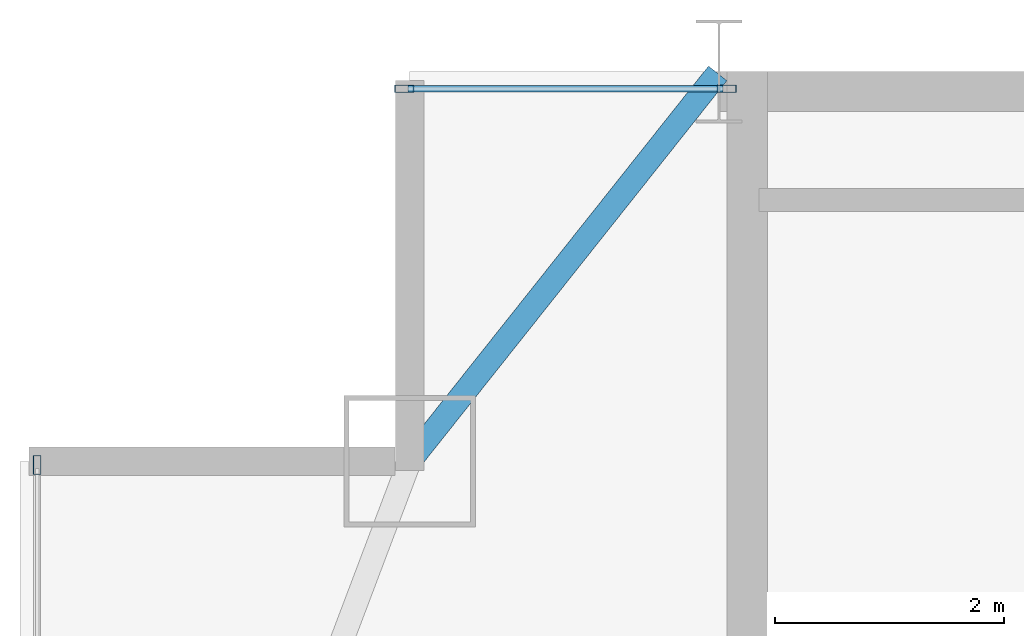
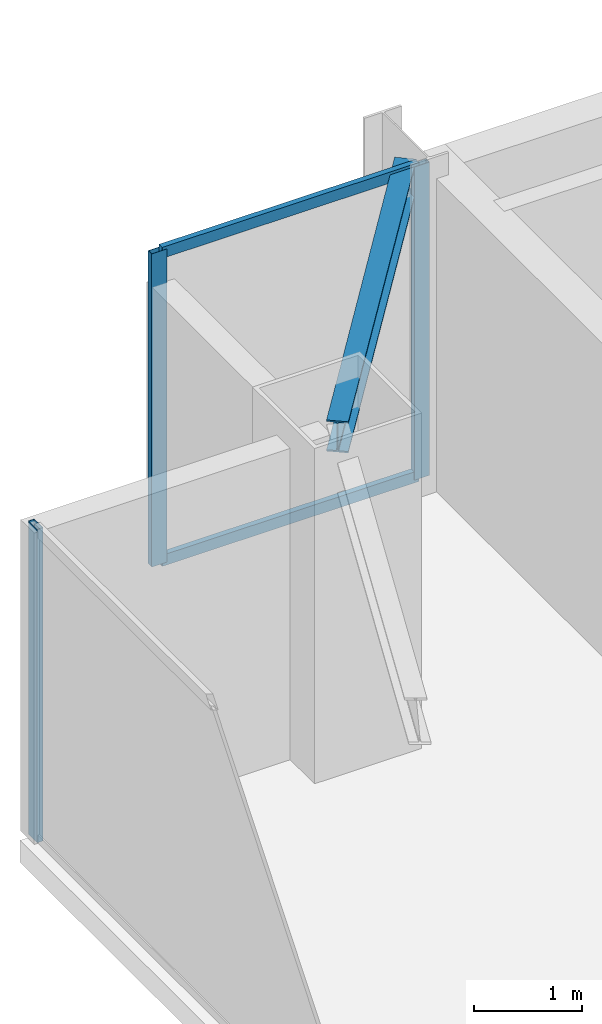
# One storey, part 17 of 25: 5 members, 1 beam, 2 elements without a shape of their own.
"""IFC4 building model written with IfcOpenShell, lengths in metres."""

from ifc_helpers import new_model, si_unit, direction, frame, origin, origin_2d, place, context, subcontext, project, spatial, hollow_rectangle, i_section, extrude, source, transform, mapped, material, layer, layer_set, material_profile, profile_set, type_object, type_shapes, element, aggregate, save


model = new_model("IFC4")

# Units and contexts
model_context = context("Model", 3, precision=1e-05, world=origin(), true_north=direction((0.0, 1.0)))
body_context = subcontext(model_context, "Body", "Model", "MODEL_VIEW")
ifc_project = project(units=[si_unit("LENGTHUNIT", "METRE"), si_unit("AREAUNIT", "SQUARE_METRE"), si_unit("VOLUMEUNIT", "CUBIC_METRE"), si_unit("PLANEANGLEUNIT", "RADIAN"), si_unit("MASSUNIT", "GRAM", prefix="KILO")], contexts=[model_context])

# Site, building, storey
site_placement = place(None, origin())
site = spatial("IfcSite", under=ifc_project, at=site_placement, CompositionType="ELEMENT")
building_placement = place(site_placement, origin())
building = spatial("IfcBuilding", under=site, at=building_placement, Name="Varnel Quay Broadcast Tower", CompositionType="ELEMENT")
storey_placement = place(building_placement, frame((0.0, 0.0, 226.39990234375)))
storey = spatial("IfcBuildingStorey", under=building, at=storey_placement, Name="L56", CompositionType="ELEMENT", Elevation=226.39990234375)

# Beam
ifc_material_1 = material(Name="Structural Steel CSA G40.21 350W", Category="steel")
ifc_material_profile_1 = material_profile(ifc_material_1, i_section(OverallWidth=0.205078125, OverallDepth=0.35400390625, WebThickness=0.009521484375, FlangeThickness=0.016845703125, FilletRadius=0.012939453125, at=origin_2d()), Name="W360X79")
ifc_profile_set_1 = profile_set([ifc_material_profile_1], Name="Structural Steel CSA G40.21 350W")
beam_type = type_object("IfcBeamType", Name="Beam_W360X79", PredefinedType="SPANDREL", material=ifc_profile_set_1)
shared_shape_1 = source(origin(), body_context, "Body", "SweptSolid", [
    extrude(i_section(OverallWidth=0.205078125, OverallDepth=0.35400390625, WebThickness=0.009521484375, FlangeThickness=0.016845703125, FilletRadius=0.012939453125, at=origin_2d()), origin(), (0.0, 0.0, 1.0), 4.301513671875),
])
type_shapes(beam_type, [shared_shape_1])
beam_placement = place(storey_placement, frame((12.912353515625, 43.415771484375, 3.373046875), z_axis=(0.621936399401, 0.783067758946, 0.0), x_axis=(-0.783067758946, 0.621936399401, 0.0)))
element("IfcBeam", 1, at=beam_placement, inside=storey, type_object=beam_type, Name="L56 NW Tie Spandrel", PredefinedType="SPANDREL", context=body_context, shape_type="MappedRepresentation", body=[
    mapped(shared_shape_1, transform((0.0, 0.0, 0.0), x_axis=(1.0, 0.0, 0.0), y_axis=(0.0, 1.0, 0.0), z_axis=(0.0, 0.0, 1.0), scale=1.0)),
])

# Curtain wall, member
ifc_material_2 = material(Name="Anodised Bronze Aluminium 6063-T6", Category="aluminium")
ifc_layer = layer(ifc_material_2, 0.18994140625, Name="Anodised Bronze Aluminium 6063-T6")
ifc_layer_set = layer_set([ifc_layer], Name="Anodised Bronze Aluminium 6063-T6")
curtain_wall_type = type_object("IfcCurtainWallType", Name="CW_UpperTower", PredefinedType="NOTDEFINED", material=ifc_layer_set)
curtain_wall_1_placement = place(storey_placement, origin())
curtain_wall_1 = element("IfcCurtainWall", 2, at=curtain_wall_1_placement, inside=storey, type_object=curtain_wall_type, Name="L56 West Unitised Curtain Wall", PredefinedType="NOTDEFINED")
ifc_material_profile_2 = material_profile(ifc_material_2, hollow_rectangle(XDim=0.06494140625, YDim=0.1650390625, WallThickness=0.00341796875, at=origin_2d()), Name="ALU65X165X3.5")
ifc_profile_set_2 = profile_set([ifc_material_profile_2], Name="Anodised Bronze Aluminium 6063-T6")
member_type_1 = type_object("IfcMemberType", Name="Mull_CWS-03", PredefinedType="MULLION", material=ifc_profile_set_2)
shared_shape_2 = source(origin(), body_context, "Body", "SweptSolid", [
    extrude(hollow_rectangle(XDim=0.06494140625, YDim=0.1650390625, WallThickness=0.00341796875, at=origin_2d()), origin(), (0.0, 0.0, 1.0), 3.550048828125),
])
type_shapes(member_type_1, [shared_shape_2])
member_1_placement = place(storey_placement, frame((9.64990234375, 43.367431640625, 0.0), z_axis=(0.0, 0.0, 1.0), x_axis=(-1.0, 0.0, 0.0)))
member_1 = element("IfcMember", 3, at=member_1_placement, type_object=member_type_1, Name="CWS-03 mullion 3", PredefinedType="MULLION", context=body_context, shape_type="MappedRepresentation", body=[
    mapped(shared_shape_2, transform((0.0, 0.0, 0.0), x_axis=(1.0, 0.0, 0.0), y_axis=(0.0, 1.0, 0.0), z_axis=(0.0, 0.0, 1.0), scale=1.0)),
])
aggregate(curtain_wall_1, [member_1])

# Curtain wall, members
curtain_wall_2_placement = place(storey_placement, origin())
curtain_wall_2 = element("IfcCurtainWall", 4, at=curtain_wall_2_placement, inside=storey, type_object=curtain_wall_type, Name="L56 NW Wing Curtain Wall", PredefinedType="NOTDEFINED")
member_2_placement = place(storey_placement, frame((12.8525390625, 46.64990234375, 0.0), z_axis=(0.0, 0.0, 1.0), x_axis=(0.0, 1.0, 0.0)))
member_2 = element("IfcMember", 5, at=member_2_placement, type_object=member_type_1, Name="CWS-03 mullion 1", PredefinedType="MULLION", context=body_context, shape_type="MappedRepresentation", body=[
    mapped(shared_shape_2, transform((0.0, 0.0, 0.0), x_axis=(1.0, 0.0, 0.0), y_axis=(0.0, 1.0, 0.0), z_axis=(0.0, 0.0, 1.0), scale=1.0)),
])
member_3_placement = place(storey_placement, frame((15.66748046875, 46.64990234375, 0.0), z_axis=(0.0, 0.0, 1.0), x_axis=(0.0, 1.0, 0.0)))
member_3 = element("IfcMember", 6, at=member_3_placement, type_object=member_type_1, Name="CWS-03 mullion 2", PredefinedType="MULLION", context=body_context, shape_type="MappedRepresentation", body=[
    mapped(shared_shape_2, transform((0.0, 0.0, 0.0), x_axis=(1.0, 0.0, 0.0), y_axis=(0.0, 1.0, 0.0), z_axis=(0.0, 0.0, 1.0), scale=1.0)),
])
ifc_material_profile_3 = material_profile(ifc_material_2, hollow_rectangle(XDim=0.06005859375, YDim=0.125, WallThickness=0.0029296875, at=origin_2d()), Name="ALU60X125X3")
ifc_profile_set_3 = profile_set([ifc_material_profile_3], Name="Anodised Bronze Aluminium 6063-T6")
member_type_2 = type_object("IfcMemberType", Name="Tran_CWS-03", PredefinedType="USERDEFINED", material=ifc_profile_set_3)
shared_shape_3 = source(origin(), body_context, "Body", "SweptSolid", [
    extrude(hollow_rectangle(XDim=0.06005859375, YDim=0.125, WallThickness=0.0029296875, at=origin_2d()), origin(), (0.0, 0.0, 1.0), 2.75),
])
type_shapes(member_type_2, [shared_shape_3])
member_4_placement = place(storey_placement, frame((12.885009765625, 46.64990234375, 0.030029296875), z_axis=(1.0, 0.0, 0.0), x_axis=(0.0, 1.0, 0.0)))
member_4 = element("IfcMember", 7, at=member_4_placement, type_object=member_type_2, Name="CWS-03 transom 1.1", ObjectType="TRANSOM", PredefinedType="USERDEFINED", context=body_context, shape_type="MappedRepresentation", body=[
    mapped(shared_shape_3, transform((0.0, 0.0, 0.0), x_axis=(1.0, 0.0, 0.0), y_axis=(0.0, 1.0, 0.0), z_axis=(0.0, 0.0, 1.0), scale=1.0)),
])
member_5_placement = place(storey_placement, frame((12.885009765625, 46.64990234375, 3.52001953125), z_axis=(1.0, 0.0, 0.0), x_axis=(0.0, 1.0, 0.0)))
member_5 = element("IfcMember", 8, at=member_5_placement, type_object=member_type_2, Name="CWS-03 transom 1.2", ObjectType="TRANSOM", PredefinedType="USERDEFINED", context=body_context, shape_type="MappedRepresentation", body=[
    mapped(shared_shape_3, transform((0.0, 0.0, 0.0), x_axis=(1.0, 0.0, 0.0), y_axis=(0.0, 1.0, 0.0), z_axis=(0.0, 0.0, 1.0), scale=1.0)),
])
aggregate(curtain_wall_2, [member_2, member_3, member_4, member_5])

save(model, "model.ifc")
